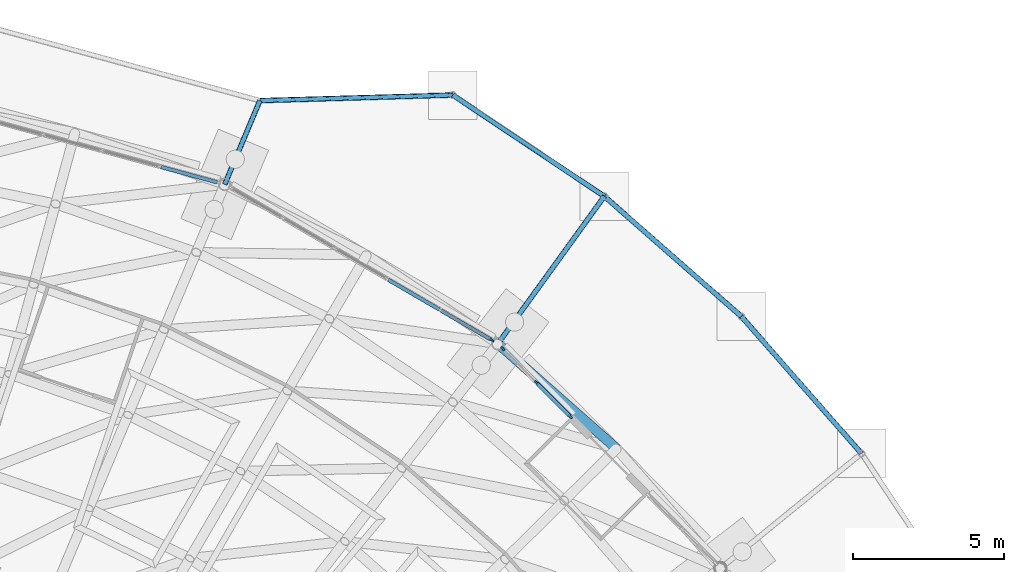
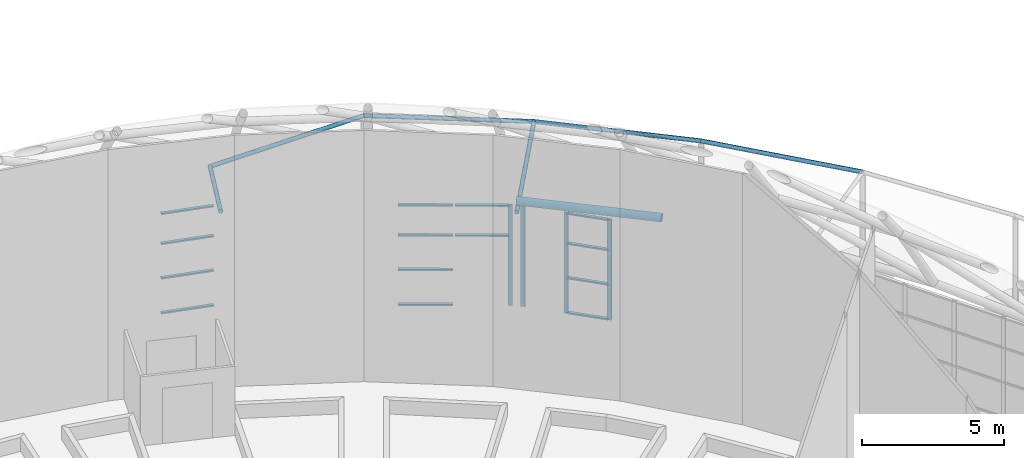
# One storey, part 120 of 226: 25 members, 3 elements without a shape of their own.
"""IFC4 building model written with IfcOpenShell, lengths in metres."""

from ifc_helpers import new_model, si_unit, direction, frame, origin, origin_2d, place, context, subcontext, project, spatial, rectangle, hollow_circle, extrude, material, material_profile, profile_set, type_object, element, aggregate, save


model = new_model("IFC4")

# Units and contexts
model_context = context("Model", 3, precision=1e-05, world=origin(), true_north=direction((0.0, 1.0)))
body_context = subcontext(model_context, "Body", "Model", "MODEL_VIEW")
ifc_project = project(units=[si_unit("LENGTHUNIT", "METRE"), si_unit("AREAUNIT", "SQUARE_METRE"), si_unit("VOLUMEUNIT", "CUBIC_METRE"), si_unit("PLANEANGLEUNIT", "RADIAN"), si_unit("MASSUNIT", "GRAM", prefix="KILO")], contexts=[model_context])

# Site, building, storey
site_placement = place(None, origin())
site = spatial("IfcSite", under=ifc_project, at=site_placement, CompositionType="ELEMENT")
building_placement = place(site_placement, origin())
building = spatial("IfcBuilding", under=site, at=building_placement, Name="Ceibo Conservatory and Research Tower", CompositionType="ELEMENT")
storey_placement = place(building_placement, origin())
storey = spatial("IfcBuildingStorey", under=building, at=storey_placement, Name="L00", CompositionType="ELEMENT", Elevation=0.0)

# Members
ifc_material_1 = material(Name="Steel ASTM A500 Gr C", Category="steel")
ifc_material_profile_1 = material_profile(ifc_material_1, hollow_circle(Radius=0.084228515625, WallThickness=0.007080078125, at=origin_2d()), Name="CHS 168.3x7.11")
ifc_profile_set_1 = profile_set([ifc_material_profile_1], Name="Steel ASTM A500 Gr C")
member_type_1 = type_object("IfcMemberType", Name="CHS 168.3x7.11", PredefinedType="NOTDEFINED", material=ifc_profile_set_1)
member_1_placement = place(storey_placement, frame((180.48876953125, 139.627685546875, 4.0), z_axis=(0.584831304318, 0.809882061204, -0.045424579563), x_axis=(-0.810718908743, 0.585435607909, 0.0)))
element("IfcMember", 1, at=member_1_placement, inside=storey, type_object=member_type_1, Name="Brim brace bracket A-BK04", PredefinedType="BRACE", context=body_context, shape_type="SweptSolid", body=[
    extrude(hollow_circle(Radius=0.084228515625, WallThickness=0.007080078125, at=origin_2d()), origin(), (0.0, 0.0, 1.0), 6.0087890625),
])
member_2_placement = place(storey_placement, frame((171.468505859375, 144.887939453125, 4.0), z_axis=(0.386318215821, 0.921245374935, -0.045444419748), x_axis=(-0.922198126706, 0.386717746038, 0.0)))
element("IfcMember", 2, at=member_2_placement, inside=storey, type_object=member_type_1, Name="Brim brace bracket A-BK05", PredefinedType="BRACE", context=body_context, shape_type="SweptSolid", body=[
    extrude(hollow_circle(Radius=0.084228515625, WallThickness=0.007080078125, at=origin_2d()), origin(), (0.0, 0.0, 1.0), 3.003173828125),
])
for number, where, z_axis, x_axis, name in (
    (3, (192.494140625, 136.0029296875, 3.72705078125), (-0.659334656538, 0.751844380656, -0.002799636388), (-0.751847327138, -0.659337240474, 0.0), "Brim tip ring A-TR05"),
    (4, (188.52685546875, 140.52685546875, 3.710205078125), (-0.751844380656, 0.659334656538, 0.002799636388), (-0.659337240474, -0.751847327138, 0.0), "Brim tip ring A-TR06"),
    (5, (184.0029296875, 144.494140625, 3.72705078125), (-0.831453545486, 0.555587224201, -0.002799643502), (-0.555589401562, -0.831456803973, 0.0), "Brim tip ring A-TR07"),
):
    element("IfcMember", number, at=place(storey_placement, frame(where, z_axis=z_axis, x_axis=x_axis)), inside=storey, type_object=member_type_1, Name=name, PredefinedType="CHORD", context=body_context, shape_type="SweptSolid", body=[
        extrude(hollow_circle(Radius=0.084228515625, WallThickness=0.007080078125, at=origin_2d()), origin(), (0.0, 0.0, 1.0), 6.01708984375),
    ])
member_3_placement = place(storey_placement, frame((179.0, 147.837158203125, 3.710205078125), z_axis=(-0.999300431406, -0.028642247105, 0.0240472342), x_axis=(0.028650532167, -0.999589489244, 0.0)))
element("IfcMember", 6, at=member_3_placement, inside=storey, type_object=member_type_1, Name="Brim tip ring A-TR08", PredefinedType="CHORD", context=body_context, shape_type="SweptSolid", body=[
    extrude(hollow_circle(Radius=0.084228515625, WallThickness=0.007080078125, at=origin_2d()), origin(), (0.0, 0.0, 1.0), 6.375732421875),
])
ifc_material_2 = material(Name="Steel S355J2H", Category="steel")
ifc_material_profile_2 = material_profile(ifc_material_2, hollow_circle(Radius=0.161865234375, WallThickness=0.025390625, at=origin_2d()), Name="CHS 323.9x25.40")
ifc_profile_set_2 = profile_set([ifc_material_profile_2], Name="Steel S355J2H")
member_type_2 = type_object("IfcMemberType", Name="CHS 323.9x25.40", PredefinedType="NOTDEFINED", material=ifc_profile_set_2)
member_4_placement = place(storey_placement, frame((184.406982421875, 136.160888671875, 4.5), z_axis=(-0.748887885709, 0.662696713918, 0.0), x_axis=(-0.662696713918, -0.748887885709, 0.0)))
element("IfcMember", 7, at=member_4_placement, inside=storey, type_object=member_type_2, Name="Gridshell member A-C01-06", PredefinedType="CHORD", context=body_context, shape_type="SweptSolid", body=[
    extrude(hollow_circle(Radius=0.161865234375, WallThickness=0.025390625, at=origin_2d()), origin(), (0.0, 0.0, 1.0), 5.231689453125),
])

# Curtain wall, members
ifc_material_3 = material(Name="Aluminium and glass", Category="aluminium")
curtain_wall_type = type_object("IfcCurtainWallType", Name="Drum curtain wall", PredefinedType="NOTDEFINED", material=ifc_material_3)
curtain_wall_1_placement = place(storey_placement, origin())
curtain_wall_1 = element("IfcCurtainWall", 8, at=curtain_wall_1_placement, inside=storey, type_object=curtain_wall_type, Name="Drum curtain wall A-CW03E", PredefinedType="NOTDEFINED")
ifc_material_4 = material(Name="Aluminium", Category="aluminium")
ifc_material_profile_3 = material_profile(ifc_material_4, rectangle(XDim=0.06005859375, YDim=0.159912109375, at=origin_2d()), Name="AL 60x160")
ifc_profile_set_3 = profile_set([ifc_material_profile_3], Name="Aluminium")
member_type_3 = type_object("IfcMemberType", Name="Drum mullion 60x160", PredefinedType="MULLION", material=ifc_profile_set_3)
member_5_placement = place(storey_placement, frame((182.8759765625, 137.21923828125, 0.0), z_axis=(0.0, 0.0, 1.0), x_axis=(-0.71018535052, -0.704014749779, 0.0)))
member_5 = element("IfcMember", 9, at=member_5_placement, type_object=member_type_3, Name="A-CW03E mullion 1", PredefinedType="MULLION", context=body_context, shape_type="SweptSolid", body=[
    extrude(rectangle(XDim=0.06005859375, YDim=0.159912109375, at=origin_2d()), origin(), (0.0, 0.0, 1.0), 4.338134765625),
])
member_6_placement = place(storey_placement, frame((181.764404296875, 138.340576171875, 0.0), z_axis=(0.0, 0.0, 1.0), x_axis=(-0.71018535052, -0.704014749779, 0.0)))
member_6 = element("IfcMember", 10, at=member_6_placement, type_object=member_type_3, Name="A-CW03E mullion 2", PredefinedType="MULLION", context=body_context, shape_type="SweptSolid", body=[
    extrude(rectangle(XDim=0.06005859375, YDim=0.159912109375, at=origin_2d()), origin(), (0.0, 0.0, 1.0), 4.338134765625),
])
member_7_placement = place(storey_placement, frame((180.65283203125, 139.4619140625, 0.0), z_axis=(0.0, 0.0, 1.0), x_axis=(-0.71018535052, -0.704014749779, 0.0)))
member_7 = element("IfcMember", 11, at=member_7_placement, type_object=member_type_3, Name="A-CW03E mullion 3", PredefinedType="MULLION", context=body_context, shape_type="SweptSolid", body=[
    extrude(rectangle(XDim=0.06005859375, YDim=0.159912109375, at=origin_2d()), origin(), (0.0, 0.0, 1.0), 4.338134765625),
])

# Curtain wall, member
curtain_wall_2_placement = place(storey_placement, origin())
curtain_wall_2 = element("IfcCurtainWall", 12, at=curtain_wall_2_placement, inside=storey, type_object=curtain_wall_type, Name="Drum curtain wall A-CW04", PredefinedType="NOTDEFINED")
member_8_placement = place(storey_placement, frame((180.287353515625, 139.7451171875, 0.0), z_axis=(0.0, 0.0, 1.0), x_axis=(-0.503773971965, -0.863835508167, 0.0)))
member_8 = element("IfcMember", 13, at=member_8_placement, type_object=member_type_3, Name="A-CW04 mullion 1", PredefinedType="MULLION", context=body_context, shape_type="SweptSolid", body=[
    extrude(rectangle(XDim=0.06005859375, YDim=0.159912109375, at=origin_2d()), origin(), (0.0, 0.0, 1.0), 4.338134765625),
])

# Member
ifc_material_profile_4 = material_profile(ifc_material_4, rectangle(XDim=0.1201171875, YDim=0.06005859375, at=origin_2d()), Name="AL 60x120")
ifc_profile_set_4 = profile_set([ifc_material_profile_4], Name="Aluminium")
member_type_4 = type_object("IfcMemberType", Name="Drum transom 60x120", PredefinedType="USERDEFINED", material=ifc_profile_set_4)
member_9_placement = place(storey_placement, frame((182.85498046875, 137.24072265625, 0.030029296875), z_axis=(-0.704046104404, 0.710154266954, 0.0), x_axis=(-0.710154266954, -0.704046104404, 0.0)))
member_9 = element("IfcMember", 14, at=member_9_placement, type_object=member_type_4, Name="A-CW03E transom 1.1", ObjectType="TRANSOM", PredefinedType="USERDEFINED", context=body_context, shape_type="SweptSolid", body=[
    extrude(rectangle(XDim=0.1201171875, YDim=0.06005859375, at=origin_2d()), origin(), (0.0, 0.0, 1.0), 1.518798828125),
])

member_10_placement = place(storey_placement, frame((182.85498046875, 137.24072265625, 1.530029296875), z_axis=(-0.704046104404, 0.710154266954, 0.0), x_axis=(-0.710154266954, -0.704046104404, 0.0)))
member_10 = element("IfcMember", 15, at=member_10_placement, type_object=member_type_4, Name="A-CW03E transom 1.2", ObjectType="TRANSOM", PredefinedType="USERDEFINED", context=body_context, shape_type="SweptSolid", body=[
    extrude(rectangle(XDim=0.1201171875, YDim=0.06005859375, at=origin_2d()), origin(), (0.0, 0.0, 1.0), 1.518798828125),
])

member_11_placement = place(storey_placement, frame((182.85498046875, 137.24072265625, 3.014892578125), z_axis=(-0.704046104404, 0.710154266954, 0.0), x_axis=(-0.710154266954, -0.704046104404, 0.0)))
member_11 = element("IfcMember", 16, at=member_11_placement, type_object=member_type_4, Name="A-CW03E transom 1.3", ObjectType="TRANSOM", PredefinedType="USERDEFINED", context=body_context, shape_type="SweptSolid", body=[
    extrude(rectangle(XDim=0.1201171875, YDim=0.06005859375, at=origin_2d()), origin(), (0.0, 0.0, 1.0), 1.518798828125),
])

member_12_placement = place(storey_placement, frame((182.85498046875, 137.24072265625, 4.30810546875), z_axis=(-0.704046104404, 0.710154266954, 0.0), x_axis=(-0.710154266954, -0.704046104404, 0.0)))
member_12 = element("IfcMember", 17, at=member_12_placement, type_object=member_type_4, Name="A-CW03E transom 1.4", ObjectType="TRANSOM", PredefinedType="USERDEFINED", context=body_context, shape_type="SweptSolid", body=[
    extrude(rectangle(XDim=0.1201171875, YDim=0.06005859375, at=origin_2d()), origin(), (0.0, 0.0, 1.0), 1.518798828125),
])

aggregate(curtain_wall_1, [member_5, member_6, member_7, member_9, member_10, member_11, member_12])

member_13_placement = place(storey_placement, frame((180.26123046875, 139.76025390625, 3.014892578125), z_axis=(-0.863820468427, 0.50379976015, 0.0), x_axis=(-0.50379976015, -0.863820468427, 0.0)))
member_13 = element("IfcMember", 18, at=member_13_placement, type_object=member_type_4, Name="A-CW04 transom 1.3", ObjectType="TRANSOM", PredefinedType="USERDEFINED", context=body_context, shape_type="SweptSolid", body=[
    extrude(rectangle(XDim=0.1201171875, YDim=0.06005859375, at=origin_2d()), origin(), (0.0, 0.0, 1.0), 1.9169921875),
])

member_14_placement = place(storey_placement, frame((180.26123046875, 139.76025390625, 4.30810546875), z_axis=(-0.863820468427, 0.50379976015, 0.0), x_axis=(-0.50379976015, -0.863820468427, 0.0)))
member_14 = element("IfcMember", 19, at=member_14_placement, type_object=member_type_4, Name="A-CW04 transom 1.4", ObjectType="TRANSOM", PredefinedType="USERDEFINED", context=body_context, shape_type="SweptSolid", body=[
    extrude(rectangle(XDim=0.1201171875, YDim=0.06005859375, at=origin_2d()), origin(), (0.0, 0.0, 1.0), 1.9169921875),
])

member_15_placement = place(storey_placement, frame((178.553466796875, 140.756103515625, 0.030029296875), z_axis=(-0.86384255657, 0.503761885675, 0.0), x_axis=(-0.503761885675, -0.86384255657, 0.0)))
member_15 = element("IfcMember", 20, at=member_15_placement, type_object=member_type_4, Name="A-CW04 transom 2.1", ObjectType="TRANSOM", PredefinedType="USERDEFINED", context=body_context, shape_type="SweptSolid", body=[
    extrude(rectangle(XDim=0.1201171875, YDim=0.06005859375, at=origin_2d()), origin(), (0.0, 0.0, 1.0), 1.947265625),
])

member_16_placement = place(storey_placement, frame((178.553466796875, 140.756103515625, 1.530029296875), z_axis=(-0.86384255657, 0.503761885675, 0.0), x_axis=(-0.503761885675, -0.86384255657, 0.0)))
member_16 = element("IfcMember", 21, at=member_16_placement, type_object=member_type_4, Name="A-CW04 transom 2.2", ObjectType="TRANSOM", PredefinedType="USERDEFINED", context=body_context, shape_type="SweptSolid", body=[
    extrude(rectangle(XDim=0.1201171875, YDim=0.06005859375, at=origin_2d()), origin(), (0.0, 0.0, 1.0), 1.947265625),
])

member_17_placement = place(storey_placement, frame((178.553466796875, 140.756103515625, 3.014892578125), z_axis=(-0.86384255657, 0.503761885675, 0.0), x_axis=(-0.503761885675, -0.86384255657, 0.0)))
member_17 = element("IfcMember", 22, at=member_17_placement, type_object=member_type_4, Name="A-CW04 transom 2.3", ObjectType="TRANSOM", PredefinedType="USERDEFINED", context=body_context, shape_type="SweptSolid", body=[
    extrude(rectangle(XDim=0.1201171875, YDim=0.06005859375, at=origin_2d()), origin(), (0.0, 0.0, 1.0), 1.947265625),
])

member_18_placement = place(storey_placement, frame((178.553466796875, 140.756103515625, 4.30810546875), z_axis=(-0.86384255657, 0.503761885675, 0.0), x_axis=(-0.503761885675, -0.86384255657, 0.0)))
member_18 = element("IfcMember", 23, at=member_18_placement, type_object=member_type_4, Name="A-CW04 transom 2.4", ObjectType="TRANSOM", PredefinedType="USERDEFINED", context=body_context, shape_type="SweptSolid", body=[
    extrude(rectangle(XDim=0.1201171875, YDim=0.06005859375, at=origin_2d()), origin(), (0.0, 0.0, 1.0), 1.947265625),
])

aggregate(curtain_wall_2, [member_8, member_13, member_14, member_15, member_16, member_17, member_18])

# Curtain wall, members
curtain_wall_3_placement = place(storey_placement, origin())
curtain_wall_3 = element("IfcCurtainWall", 24, at=curtain_wall_3_placement, inside=storey, type_object=curtain_wall_type, Name="Drum curtain wall A-CW05", PredefinedType="NOTDEFINED")
member_19_placement = place(storey_placement, frame((171.214599609375, 144.957275390625, 0.030029296875), z_axis=(-0.964802016005, 0.262977318248, 0.0), x_axis=(-0.262977318248, -0.964802016005, 0.0)))
member_19 = element("IfcMember", 25, at=member_19_placement, type_object=member_type_4, Name="A-CW05 transom 1.1", ObjectType="TRANSOM", PredefinedType="USERDEFINED", context=body_context, shape_type="SweptSolid", body=[
    extrude(rectangle(XDim=0.1201171875, YDim=0.06005859375, at=origin_2d()), origin(), (0.0, 0.0, 1.0), 1.9169921875),
])
member_20_placement = place(storey_placement, frame((171.214599609375, 144.957275390625, 1.530029296875), z_axis=(-0.964802016005, 0.262977318248, 0.0), x_axis=(-0.262977318248, -0.964802016005, 0.0)))
member_20 = element("IfcMember", 26, at=member_20_placement, type_object=member_type_4, Name="A-CW05 transom 1.2", ObjectType="TRANSOM", PredefinedType="USERDEFINED", context=body_context, shape_type="SweptSolid", body=[
    extrude(rectangle(XDim=0.1201171875, YDim=0.06005859375, at=origin_2d()), origin(), (0.0, 0.0, 1.0), 1.9169921875),
])
member_21_placement = place(storey_placement, frame((171.214599609375, 144.957275390625, 3.014892578125), z_axis=(-0.964802016005, 0.262977318248, 0.0), x_axis=(-0.262977318248, -0.964802016005, 0.0)))
member_21 = element("IfcMember", 27, at=member_21_placement, type_object=member_type_4, Name="A-CW05 transom 1.3", ObjectType="TRANSOM", PredefinedType="USERDEFINED", context=body_context, shape_type="SweptSolid", body=[
    extrude(rectangle(XDim=0.1201171875, YDim=0.06005859375, at=origin_2d()), origin(), (0.0, 0.0, 1.0), 1.9169921875),
])
member_22_placement = place(storey_placement, frame((171.214599609375, 144.957275390625, 4.30810546875), z_axis=(-0.964802016005, 0.262977318248, 0.0), x_axis=(-0.262977318248, -0.964802016005, 0.0)))
member_22 = element("IfcMember", 28, at=member_22_placement, type_object=member_type_4, Name="A-CW05 transom 1.4", ObjectType="TRANSOM", PredefinedType="USERDEFINED", context=body_context, shape_type="SweptSolid", body=[
    extrude(rectangle(XDim=0.1201171875, YDim=0.06005859375, at=origin_2d()), origin(), (0.0, 0.0, 1.0), 1.9169921875),
])
aggregate(curtain_wall_3, [member_19, member_20, member_21, member_22])

save(model, "model.ifc")
